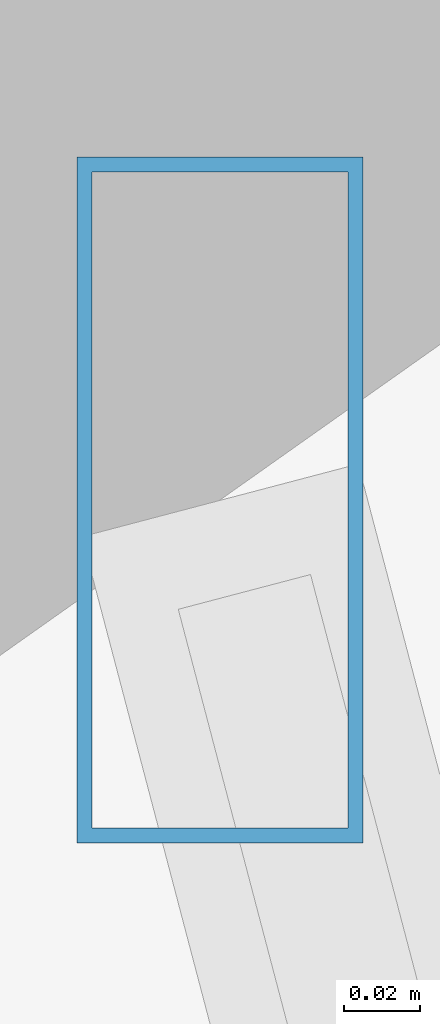
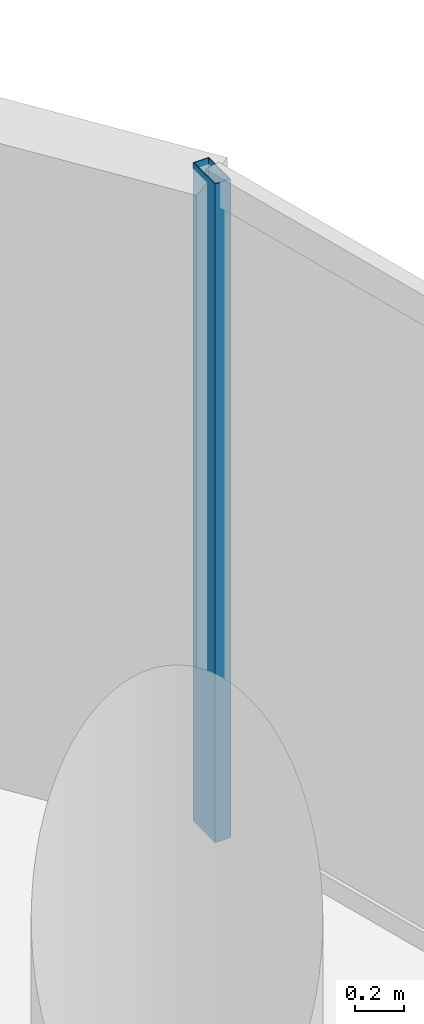
# One storey, part 18 of 34: 1 member, 1 element without a shape of its own.
"""IFC4 building model written with IfcOpenShell, lengths in metres."""

from ifc_helpers import new_model, si_unit, direction, frame, origin, origin_2d, place, context, subcontext, project, spatial, hollow_rectangle, extrude, material, material_profile, profile_set, type_object, element, aggregate, save


model = new_model("IFC4")

# Units and contexts
model_context = context("Model", 3, precision=1e-05, world=origin(), true_north=direction((0.0, 1.0)))
body_context = subcontext(model_context, "Body", "Model", "MODEL_VIEW")
ifc_project = project(units=[si_unit("LENGTHUNIT", "METRE"), si_unit("AREAUNIT", "SQUARE_METRE"), si_unit("VOLUMEUNIT", "CUBIC_METRE"), si_unit("PLANEANGLEUNIT", "RADIAN"), si_unit("MASSUNIT", "GRAM", prefix="KILO")], contexts=[model_context])

# Site, building, storey
site_placement = place(None, origin())
site = spatial("IfcSite", under=ifc_project, at=site_placement, CompositionType="ELEMENT")
building_placement = place(site_placement, origin())
building = spatial("IfcBuilding", under=site, at=building_placement, Name="Vorneva Point Tower", CompositionType="ELEMENT")
storey_placement = place(building_placement, frame((0.0, 0.0, 62.5)))
storey = spatial("IfcBuildingStorey", under=building, at=storey_placement, Name="L16", CompositionType="ELEMENT", Elevation=62.5)

# Curtain wall, member
ifc_material = material(Name="Pale anodised aluminium", Category="aluminium")
curtain_wall_type = type_object("IfcCurtainWallType", Name="CW-HTL-SYS", PredefinedType="NOTDEFINED", material=ifc_material)
curtain_wall_placement = place(storey_placement, origin())
curtain_wall = element("IfcCurtainWall", 1, at=curtain_wall_placement, inside=storey, type_object=curtain_wall_type, Name="L16 Unitised Curtain Wall CW-L16-R01", PredefinedType="NOTDEFINED")
ifc_material_profile = material_profile(ifc_material, hollow_rectangle(XDim=0.074951171875, YDim=0.179931640625, WallThickness=0.00390625, at=origin_2d()), Name="AL-MUL 180x75x4")
ifc_profile_set = profile_set([ifc_material_profile], Name="Pale anodised aluminium")
member_type = type_object("IfcMemberType", Name="CW-MUL-180", PredefinedType="MULLION", material=ifc_profile_set)
member_placement = place(storey_placement, frame((65.300537109375, 34.552978515625, -0.0400390625), z_axis=(0.0, 0.0, 1.0), x_axis=(1.0, 0.0, 0.0)))
member = element("IfcMember", 2, at=member_placement, type_object=member_type, Name="CW-L16-R01 Mullion 04", PredefinedType="MULLION", context=body_context, shape_type="SweptSolid", body=[
    extrude(hollow_rectangle(XDim=0.074951171875, YDim=0.179931640625, WallThickness=0.00390625, at=origin_2d()), origin(), (0.0, 0.0, 1.0), 3.31005859375),
])
aggregate(curtain_wall, [member])

save(model, "model.ifc")
